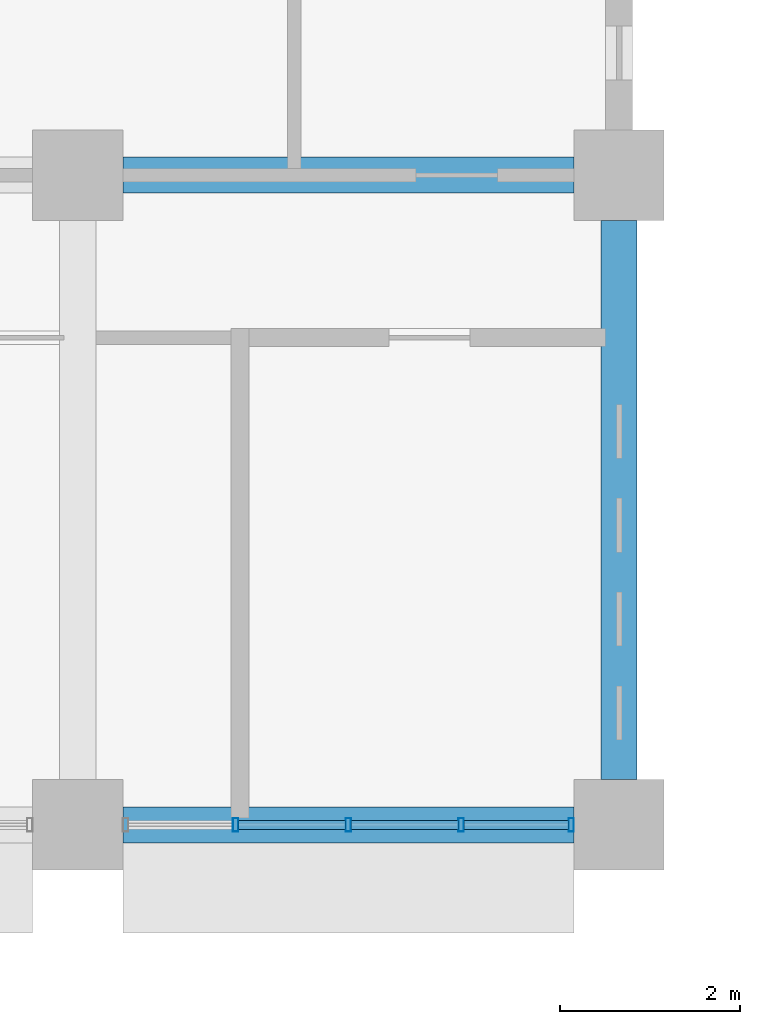
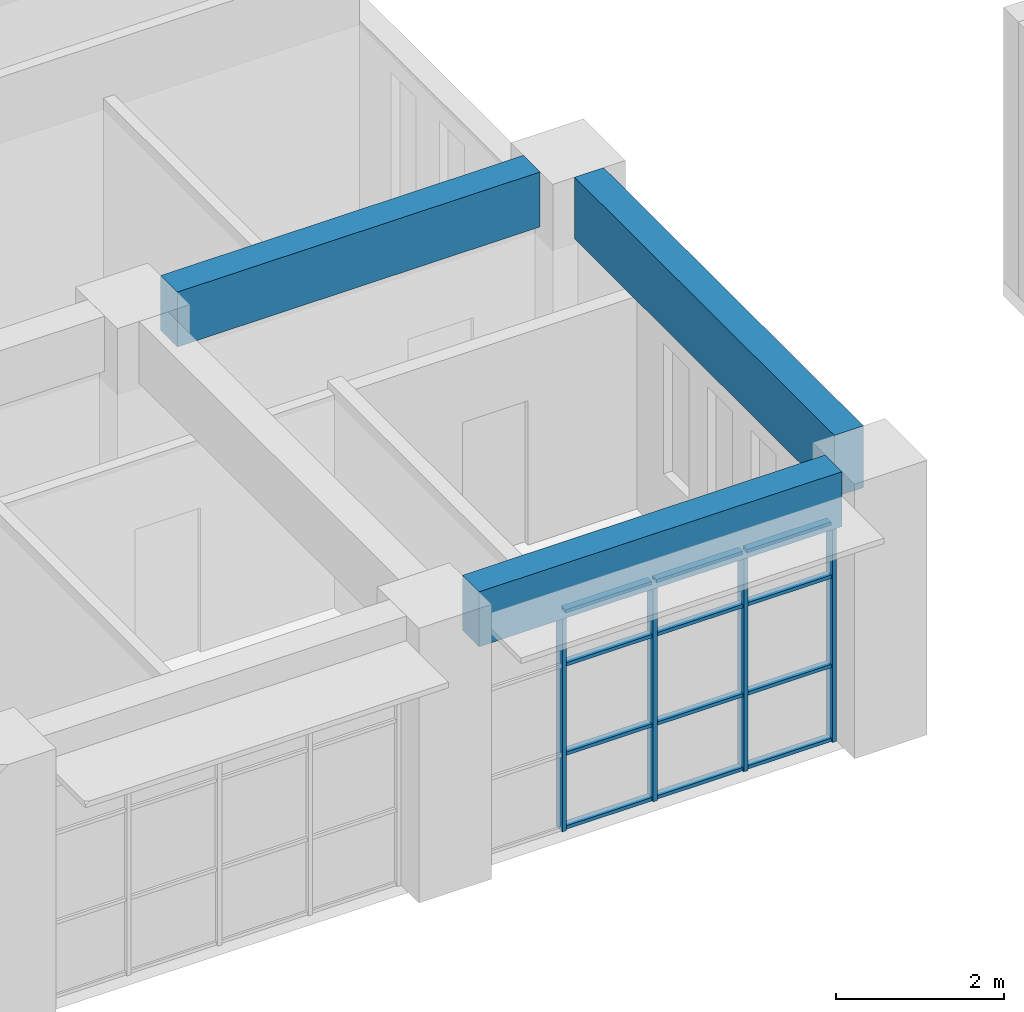
# One storey, part 39 of 92: 16 members, 3 beams, 1 element without a shape of its own.
"""IFC4 building model written with IfcOpenShell, lengths in metres."""

from ifc_helpers import new_model, si_unit, direction, frame, origin, origin_2d, place, context, subcontext, project, spatial, rectangle, hollow_rectangle, extrude, material, material_profile, profile_set, type_object, element, aggregate, save


model = new_model("IFC4")

# Units and contexts
model_context = context("Model", 3, precision=1e-05, world=origin(), true_north=direction((0.0, 1.0)))
body_context = subcontext(model_context, "Body", "Model", "MODEL_VIEW")
ifc_project = project(units=[si_unit("LENGTHUNIT", "METRE"), si_unit("AREAUNIT", "SQUARE_METRE"), si_unit("VOLUMEUNIT", "CUBIC_METRE"), si_unit("PLANEANGLEUNIT", "RADIAN"), si_unit("MASSUNIT", "GRAM", prefix="KILO")], contexts=[model_context])

# Site, building, storey
site_placement = place(None, origin())
site = spatial("IfcSite", under=ifc_project, at=site_placement, CompositionType="ELEMENT")
building_placement = place(site_placement, origin())
building = spatial("IfcBuilding", under=site, at=building_placement, Name="Laocheng Heights Fire and Rescue Headquarters", CompositionType="ELEMENT")
storey_placement = place(building_placement, frame((0.0, 0.0, 12.60009765625)))
storey = spatial("IfcBuildingStorey", under=building, at=storey_placement, Name="L03", CompositionType="ELEMENT", Elevation=12.60009765625)

# Curtain wall, members
ifc_material_1 = material(Name="Dark anodised aluminium unitised curtain wall, low-e double glazing", Category="aluminium")
curtain_wall_type = type_object("IfcCurtainWallType", Name="CW 5000 x 3200 HQ SOUTH RIBBON", PredefinedType="NOTDEFINED", material=ifc_material_1)
curtain_wall_placement = place(storey_placement, origin())
curtain_wall = element("IfcCurtainWall", 1, at=curtain_wall_placement, inside=storey, type_object=curtain_wall_type, Name="X10-X HQ SOUTH L03", PredefinedType="NOTDEFINED")
ifc_material_2 = material(Name="Dark anodised aluminium 6063-T5 extrusion", Category="aluminium")
ifc_material_profile_1 = material_profile(ifc_material_2, hollow_rectangle(XDim=0.14990234375, YDim=0.06005859375, WallThickness=0.0029296875, at=origin_2d()), Name="AL MULLION 150x60x3 HQ SOUTH RIBBON")
ifc_profile_set_1 = profile_set([ifc_material_profile_1], Name="Dark anodised aluminium 6063-T5 extrusion")
member_type_1 = type_object("IfcMemberType", Name="AL MULLION 150x60x3 HQ SOUTH RIBBON", PredefinedType="MULLION", material=ifc_profile_set_1)
member_1_placement = place(storey_placement, frame((79.75, 50.39990234375, 0.0), z_axis=(0.0, 0.0, 1.0), x_axis=(0.0, 1.0, 0.0)))
member_1 = element("IfcMember", 2, at=member_1_placement, type_object=member_type_1, Name="X10-X mullion 2", PredefinedType="MULLION", context=body_context, shape_type="SweptSolid", body=[
    extrude(hollow_rectangle(XDim=0.14990234375, YDim=0.06005859375, WallThickness=0.0029296875, at=origin_2d()), origin(), (0.0, 0.0, 1.0), 3.199951171875),
])
member_2_placement = place(storey_placement, frame((81.0, 50.39990234375, 0.0), z_axis=(0.0, 0.0, 1.0), x_axis=(0.0, 1.0, 0.0)))
member_2 = element("IfcMember", 3, at=member_2_placement, type_object=member_type_1, Name="X10-X mullion 3", PredefinedType="MULLION", context=body_context, shape_type="SweptSolid", body=[
    extrude(hollow_rectangle(XDim=0.14990234375, YDim=0.06005859375, WallThickness=0.0029296875, at=origin_2d()), origin(), (0.0, 0.0, 1.0), 3.199951171875),
])
member_3_placement = place(storey_placement, frame((82.25, 50.39990234375, 0.0), z_axis=(0.0, 0.0, 1.0), x_axis=(0.0, 1.0, 0.0)))
member_3 = element("IfcMember", 4, at=member_3_placement, type_object=member_type_1, Name="X10-X mullion 4", PredefinedType="MULLION", context=body_context, shape_type="SweptSolid", body=[
    extrude(hollow_rectangle(XDim=0.14990234375, YDim=0.06005859375, WallThickness=0.0029296875, at=origin_2d()), origin(), (0.0, 0.0, 1.0), 3.199951171875),
])
member_4_placement = place(storey_placement, frame((83.469970703125, 50.39990234375, 0.0), z_axis=(0.0, 0.0, 1.0), x_axis=(0.0, 1.0, 0.0)))
member_4 = element("IfcMember", 5, at=member_4_placement, type_object=member_type_1, Name="X10-X mullion 5", PredefinedType="MULLION", context=body_context, shape_type="SweptSolid", body=[
    extrude(hollow_rectangle(XDim=0.14990234375, YDim=0.06005859375, WallThickness=0.0029296875, at=origin_2d()), origin(), (0.0, 0.0, 1.0), 3.199951171875),
])
ifc_material_3 = material(Name="Dark anodised aluminium 6063-T5 extrusion", Category="aluminium")
ifc_material_profile_2 = material_profile(ifc_material_3, hollow_rectangle(XDim=0.10009765625, YDim=0.050048828125, WallThickness=0.0029296875, at=origin_2d()), Name="AL TRANSOM 100x50x3 HQ SOUTH RIBBON")
ifc_profile_set_2 = profile_set([ifc_material_profile_2], Name="Dark anodised aluminium 6063-T5 extrusion")
member_type_2 = type_object("IfcMemberType", Name="AL TRANSOM 100x50x3 HQ SOUTH RIBBON", PredefinedType="USERDEFINED", material=ifc_profile_set_2)
member_5_placement = place(storey_placement, frame((79.780029296875, 50.39990234375, 0.02490234375), z_axis=(1.0, 0.0, 0.0), x_axis=(0.0, 1.0, 0.0)))
member_5 = element("IfcMember", 6, at=member_5_placement, type_object=member_type_2, Name="X10-X transom 2.1", ObjectType="TRANSOM", PredefinedType="USERDEFINED", context=body_context, shape_type="SweptSolid", body=[
    extrude(hollow_rectangle(XDim=0.10009765625, YDim=0.050048828125, WallThickness=0.0029296875, at=origin_2d()), origin(), (0.0, 0.0, 1.0), 1.18994140625),
])
member_6_placement = place(storey_placement, frame((79.780029296875, 50.39990234375, 1.099853515625), z_axis=(1.0, 0.0, 0.0), x_axis=(0.0, 1.0, 0.0)))
member_6 = element("IfcMember", 7, at=member_6_placement, type_object=member_type_2, Name="X10-X transom 2.2", ObjectType="TRANSOM", PredefinedType="USERDEFINED", context=body_context, shape_type="SweptSolid", body=[
    extrude(hollow_rectangle(XDim=0.10009765625, YDim=0.050048828125, WallThickness=0.0029296875, at=origin_2d()), origin(), (0.0, 0.0, 1.0), 1.18994140625),
])
member_7_placement = place(storey_placement, frame((79.780029296875, 50.39990234375, 2.39990234375), z_axis=(1.0, 0.0, 0.0), x_axis=(0.0, 1.0, 0.0)))
member_7 = element("IfcMember", 8, at=member_7_placement, type_object=member_type_2, Name="X10-X transom 2.3", ObjectType="TRANSOM", PredefinedType="USERDEFINED", context=body_context, shape_type="SweptSolid", body=[
    extrude(hollow_rectangle(XDim=0.10009765625, YDim=0.050048828125, WallThickness=0.0029296875, at=origin_2d()), origin(), (0.0, 0.0, 1.0), 1.18994140625),
])
member_8_placement = place(storey_placement, frame((79.780029296875, 50.39990234375, 3.1748046875), z_axis=(1.0, 0.0, 0.0), x_axis=(0.0, 1.0, 0.0)))
member_8 = element("IfcMember", 9, at=member_8_placement, type_object=member_type_2, Name="X10-X transom 2.4", ObjectType="TRANSOM", PredefinedType="USERDEFINED", context=body_context, shape_type="SweptSolid", body=[
    extrude(hollow_rectangle(XDim=0.10009765625, YDim=0.050048828125, WallThickness=0.0029296875, at=origin_2d()), origin(), (0.0, 0.0, 1.0), 1.18994140625),
])
member_9_placement = place(storey_placement, frame((81.030029296875, 50.39990234375, 0.02490234375), z_axis=(1.0, 0.0, 0.0), x_axis=(0.0, 1.0, 0.0)))
member_9 = element("IfcMember", 10, at=member_9_placement, type_object=member_type_2, Name="X10-X transom 3.1", ObjectType="TRANSOM", PredefinedType="USERDEFINED", context=body_context, shape_type="SweptSolid", body=[
    extrude(hollow_rectangle(XDim=0.10009765625, YDim=0.050048828125, WallThickness=0.0029296875, at=origin_2d()), origin(), (0.0, 0.0, 1.0), 1.18994140625),
])
member_10_placement = place(storey_placement, frame((81.030029296875, 50.39990234375, 1.099853515625), z_axis=(1.0, 0.0, 0.0), x_axis=(0.0, 1.0, 0.0)))
member_10 = element("IfcMember", 11, at=member_10_placement, type_object=member_type_2, Name="X10-X transom 3.2", ObjectType="TRANSOM", PredefinedType="USERDEFINED", context=body_context, shape_type="SweptSolid", body=[
    extrude(hollow_rectangle(XDim=0.10009765625, YDim=0.050048828125, WallThickness=0.0029296875, at=origin_2d()), origin(), (0.0, 0.0, 1.0), 1.18994140625),
])
member_11_placement = place(storey_placement, frame((81.030029296875, 50.39990234375, 2.39990234375), z_axis=(1.0, 0.0, 0.0), x_axis=(0.0, 1.0, 0.0)))
member_11 = element("IfcMember", 12, at=member_11_placement, type_object=member_type_2, Name="X10-X transom 3.3", ObjectType="TRANSOM", PredefinedType="USERDEFINED", context=body_context, shape_type="SweptSolid", body=[
    extrude(hollow_rectangle(XDim=0.10009765625, YDim=0.050048828125, WallThickness=0.0029296875, at=origin_2d()), origin(), (0.0, 0.0, 1.0), 1.18994140625),
])
member_12_placement = place(storey_placement, frame((81.030029296875, 50.39990234375, 3.1748046875), z_axis=(1.0, 0.0, 0.0), x_axis=(0.0, 1.0, 0.0)))
member_12 = element("IfcMember", 13, at=member_12_placement, type_object=member_type_2, Name="X10-X transom 3.4", ObjectType="TRANSOM", PredefinedType="USERDEFINED", context=body_context, shape_type="SweptSolid", body=[
    extrude(hollow_rectangle(XDim=0.10009765625, YDim=0.050048828125, WallThickness=0.0029296875, at=origin_2d()), origin(), (0.0, 0.0, 1.0), 1.18994140625),
])
member_13_placement = place(storey_placement, frame((82.280029296875, 50.39990234375, 0.02490234375), z_axis=(1.0, 0.0, 0.0), x_axis=(0.0, 1.0, 0.0)))
member_13 = element("IfcMember", 14, at=member_13_placement, type_object=member_type_2, Name="X10-X transom 4.1", ObjectType="TRANSOM", PredefinedType="USERDEFINED", context=body_context, shape_type="SweptSolid", body=[
    extrude(hollow_rectangle(XDim=0.10009765625, YDim=0.050048828125, WallThickness=0.0029296875, at=origin_2d()), origin(), (0.0, 0.0, 1.0), 1.159912109375),
])
member_14_placement = place(storey_placement, frame((82.280029296875, 50.39990234375, 1.099853515625), z_axis=(1.0, 0.0, 0.0), x_axis=(0.0, 1.0, 0.0)))
member_14 = element("IfcMember", 15, at=member_14_placement, type_object=member_type_2, Name="X10-X transom 4.2", ObjectType="TRANSOM", PredefinedType="USERDEFINED", context=body_context, shape_type="SweptSolid", body=[
    extrude(hollow_rectangle(XDim=0.10009765625, YDim=0.050048828125, WallThickness=0.0029296875, at=origin_2d()), origin(), (0.0, 0.0, 1.0), 1.159912109375),
])
member_15_placement = place(storey_placement, frame((82.280029296875, 50.39990234375, 2.39990234375), z_axis=(1.0, 0.0, 0.0), x_axis=(0.0, 1.0, 0.0)))
member_15 = element("IfcMember", 16, at=member_15_placement, type_object=member_type_2, Name="X10-X transom 4.3", ObjectType="TRANSOM", PredefinedType="USERDEFINED", context=body_context, shape_type="SweptSolid", body=[
    extrude(hollow_rectangle(XDim=0.10009765625, YDim=0.050048828125, WallThickness=0.0029296875, at=origin_2d()), origin(), (0.0, 0.0, 1.0), 1.159912109375),
])
member_16_placement = place(storey_placement, frame((82.280029296875, 50.39990234375, 3.1748046875), z_axis=(1.0, 0.0, 0.0), x_axis=(0.0, 1.0, 0.0)))
member_16 = element("IfcMember", 17, at=member_16_placement, type_object=member_type_2, Name="X10-X transom 4.4", ObjectType="TRANSOM", PredefinedType="USERDEFINED", context=body_context, shape_type="SweptSolid", body=[
    extrude(hollow_rectangle(XDim=0.10009765625, YDim=0.050048828125, WallThickness=0.0029296875, at=origin_2d()), origin(), (0.0, 0.0, 1.0), 1.159912109375),
])
aggregate(curtain_wall, [member_1, member_2, member_3, member_4, member_5, member_6, member_7, member_8, member_9, member_10, member_11, member_12, member_13, member_14, member_15, member_16])

# Beams
ifc_material_4 = material(Name="Concrete C40", Category="concrete")
ifc_material_profile_3 = material_profile(ifc_material_4, rectangle(XDim=0.39990234375, YDim=0.800048828125, at=origin_2d()), Name="RC BEAM 400x800 HQ")
ifc_profile_set_3 = profile_set([ifc_material_profile_3], Name="Concrete C40")
beam_type_1 = type_object("IfcBeamType", Name="RC BEAM 400x800 HQ", PredefinedType="BEAM", material=ifc_profile_set_3)
for number, where, z_axis, x_axis, name in (
    (18, (78.5, 50.39990234375, 3.599853515625), (1.0, 0.0, 0.0), (0.0, 1.0, 0.0), "HQ beam L03"),
    (19, (78.5, 57.60009765625, 3.599853515625), (1.0, 0.0, 0.0), (0.0, 1.0, 0.0), "HQ beam L03"),
):
    element("IfcBeam", number, at=place(storey_placement, frame(where, z_axis=z_axis, x_axis=x_axis)), inside=storey, type_object=beam_type_1, Name=name, PredefinedType="BEAM", context=body_context, shape_type="SweptSolid", body=[
        extrude(rectangle(XDim=0.39990234375, YDim=0.800048828125, at=origin_2d()), origin(), (0.0, 0.0, 1.0), 5.0),
    ])
ifc_material_5 = material(Name="Concrete C40", Category="concrete")
ifc_material_profile_4 = material_profile(ifc_material_5, rectangle(XDim=0.39990234375, YDim=0.89990234375, at=origin_2d()), Name="RC BEAM 400x900 HQ")
ifc_profile_set_4 = profile_set([ifc_material_profile_4], Name="Concrete C40")
beam_type_2 = type_object("IfcBeamType", Name="RC BEAM 400x900 HQ", PredefinedType="BEAM", material=ifc_profile_set_4)
beam_placement = place(storey_placement, frame((84.0, 50.89990234375, 3.5498046875), z_axis=(0.0, 1.0, 0.0), x_axis=(-1.0, 0.0, 0.0)))
element("IfcBeam", 20, at=beam_placement, inside=storey, type_object=beam_type_2, Name="HQ beam L03", PredefinedType="BEAM", context=body_context, shape_type="SweptSolid", body=[
    extrude(rectangle(XDim=0.39990234375, YDim=0.89990234375, at=origin_2d()), origin(), (0.0, 0.0, 1.0), 6.2001953125),
])

save(model, "model.ifc")
